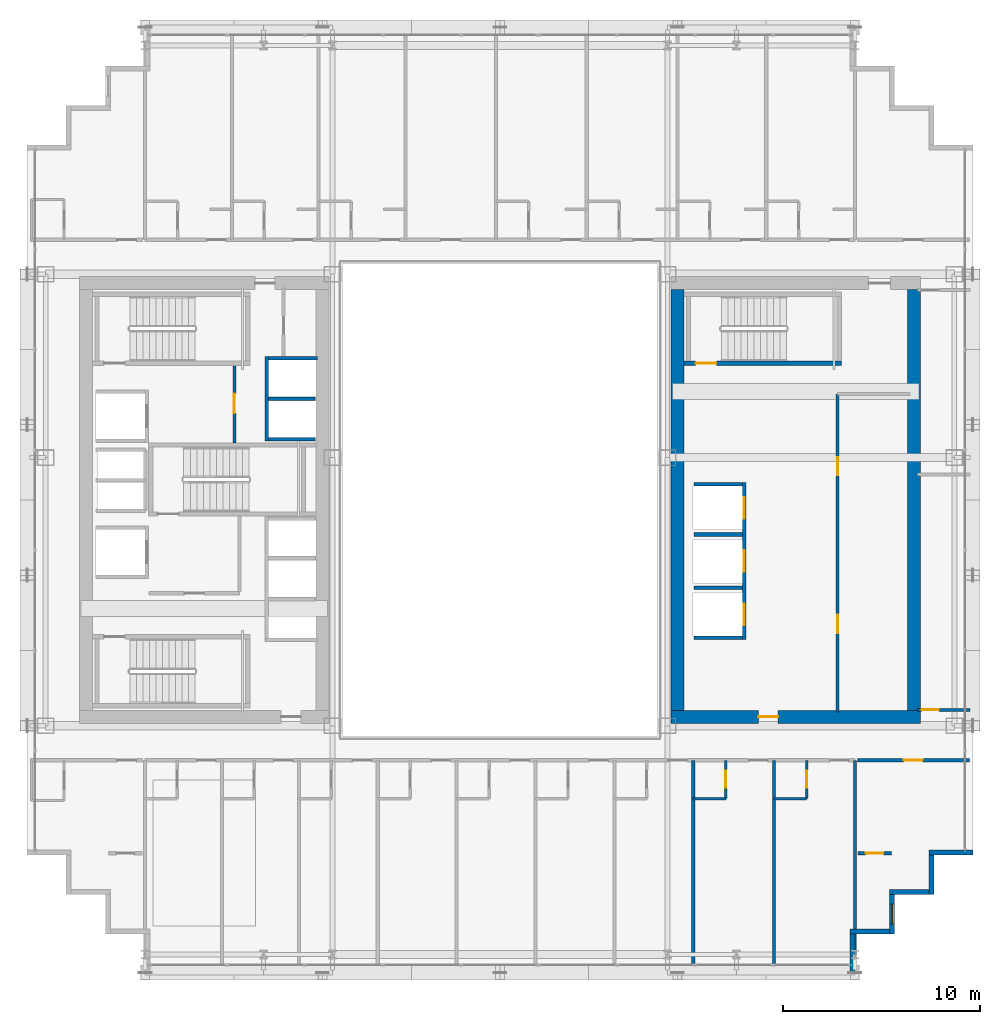
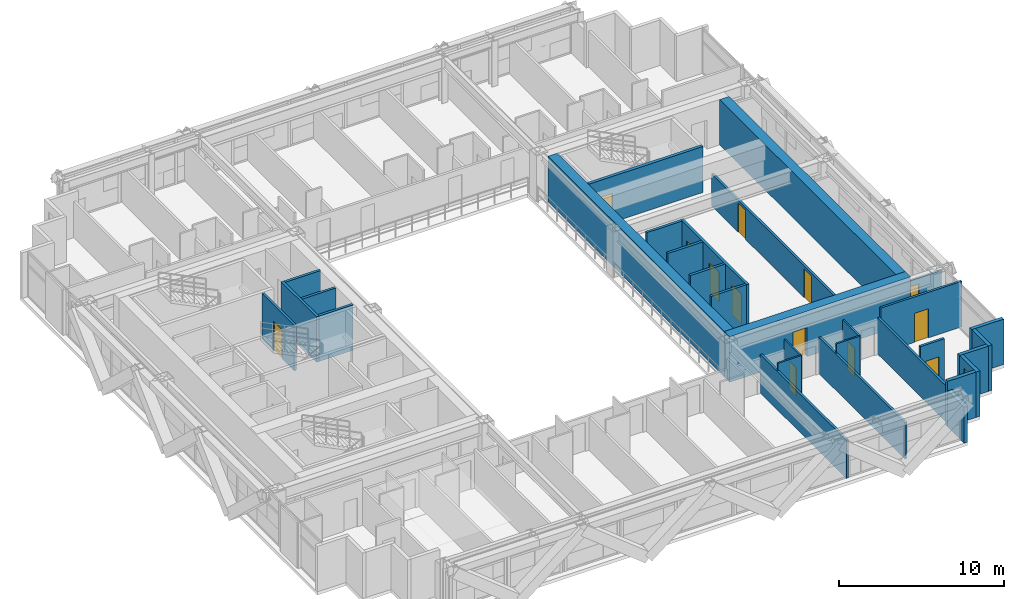
# One storey, part 29 of 36: 31 walls, 13 doors, 1 window, 14 openings.
"""IFC4 building model written with IfcOpenShell, lengths in metres."""

from ifc_helpers import new_model, si_unit, direction, frame, frame_2d, origin, place, context, subcontext, project, spatial, rectangle, extrude, source, transform, mapped, material, layer, layer_set, type_object, element, fill, save


model = new_model("IFC4")

# Units and contexts
model_context = context("Model", 3, precision=1e-05, world=origin(), true_north=direction((0.0, 1.0)))
body_context = subcontext(model_context, "Body", "Model", "MODEL_VIEW")
ifc_project = project(units=[si_unit("LENGTHUNIT", "METRE"), si_unit("AREAUNIT", "SQUARE_METRE"), si_unit("VOLUMEUNIT", "CUBIC_METRE"), si_unit("PLANEANGLEUNIT", "RADIAN"), si_unit("MASSUNIT", "GRAM", prefix="KILO")], contexts=[model_context])

# Site, building, storey
site_placement = place(None, origin())
site = spatial("IfcSite", under=ifc_project, at=site_placement, CompositionType="ELEMENT")
building_placement = place(site_placement, origin())
building = spatial("IfcBuilding", under=site, at=building_placement, Name="Ocotamira Hotel", CompositionType="ELEMENT")
storey_placement = place(building_placement, frame((0.0, 0.0, 129.60009765625)))
storey = spatial("IfcBuildingStorey", under=building, at=storey_placement, Name="L32", CompositionType="ELEMENT", Elevation=129.60009765625)

# Wall, opening, door
ifc_material_1 = material(Name="Concrete C60/75", Category="concrete")
ifc_layer_1 = layer(ifc_material_1, 0.64990234375)
ifc_layer_set_1 = layer_set([ifc_layer_1], Name="Concrete C60/75")
wall_type_1 = type_object("IfcWallType", Name="WL-CORE-650", PredefinedType="SHEAR", material=ifc_layer_set_1)
wall_1_placement = place(storey_placement, frame((40.675048828125, 15.0, 0.0), z_axis=(0.0, 0.0, 1.0), x_axis=(1.0, 0.0, 0.0)))
wall_1 = element("IfcWall", 1, at=wall_1_placement, inside=storey, type_object=wall_type_1, Name="L32 Shear Core Wall ECORE-S", PredefinedType="SHEAR", context=body_context, shape_type="SweptSolid", body=[
    extrude(rectangle(XDim=12.64990234375, YDim=0.64990234375, at=frame_2d((6.324951171875, 0.0))), origin(), (0.0, 0.0, 1.0), 3.35986328125),
])
opening_1_placement = place(wall_1_placement, frame((4.425048828125, 0.0, 0.0)))
opening_1 = element("IfcOpeningElement", 2, at=opening_1_placement, cuts=wall_1, Name="Opening D-FR2", PredefinedType="OPENING", context=body_context, shape_type="SweptSolid", body=[
    extrude(rectangle(XDim=1.0, YDim=2.14990234375, at=frame_2d((0.5, 1.074951171875))), frame((0.0, 0.3349609375, 0.0), z_axis=(0.0, -1.0, 0.0), x_axis=(1.0, 0.0, 0.0)), (0.0, 0.0, 1.0), 0.669921875),
])
ifc_material_2 = material(Name="Fire-rated acoustic timber-veneer door", Category="wood")
door_type_1 = type_object("IfcDoorType", Name="DR-FIRE-1000", OperationType="NOTDEFINED", PredefinedType="DOOR", material=ifc_material_2)
shared_shape_1 = source(origin(), body_context, "Body", "SweptSolid", [
    extrude(rectangle(XDim=1.0, YDim=2.14990234375, at=frame_2d((0.5, 1.074951171875))), frame((0.0, 0.02490234375, 0.0), z_axis=(0.0, -1.0, 0.0), x_axis=(1.0, 0.0, 0.0)), (0.0, 0.0, 1.0), 0.050048828125),
])
door_1_placement = place(opening_1_placement, origin())
door_1 = element("IfcDoor", 3, at=door_1_placement, inside=storey, type_object=door_type_1, Name="L32 Door ID-L32-ELOB-S-D [ID-L32-ELOB-S-D]", OperationType="SINGLE_SWING_RIGHT", OverallHeight=2.14990234375, OverallWidth=1.0, PredefinedType="DOOR", context=body_context, shape_type="MappedRepresentation", body=[
    mapped(shared_shape_1, transform((0.0, 0.0, 0.0), scale=1.0)),
])
fill(opening_1, door_1)

# Walls
for number, where, z_axis, x_axis, name in (
    (4, (41.0, 15.324951171875, 0.0), (0.0, 0.0, 1.0), (0.0, 1.0, 0.0), "L32 Shear Core Wall ECORE-W"),
    (5, (53.0, 15.324951171875, 0.0), (0.0, 0.0, 1.0), (0.0, 1.0, 0.0), "L32 Shear Core Wall ECORE-E"),
):
    element("IfcWall", number, at=place(storey_placement, frame(where, z_axis=z_axis, x_axis=x_axis)), inside=storey, type_object=wall_type_1, Name=name, PredefinedType="SHEAR", context=body_context, shape_type="SweptSolid", body=[
        extrude(rectangle(XDim=21.35009765625, YDim=0.64990234375, at=frame_2d((10.675048828125, 0.0))), origin(), (0.0, 0.0, 1.0), 3.35986328125),
    ])
ifc_material_3 = material(Name="Precast concrete C45/55", Category="concrete")
ifc_layer_2 = layer(ifc_material_3, 0.25)
ifc_layer_set_2 = layer_set([ifc_layer_2], Name="Precast concrete C45/55")
wall_type_2 = type_object("IfcWallType", Name="WL-EXT-SER-250", PredefinedType="SOLIDWALL", material=ifc_layer_set_2)
wall_2_placement = place(storey_placement, frame((49.875, 2.0, 0.0), z_axis=(0.0, 0.0, 1.0), x_axis=(0.0, 1.0, 0.0)))
element("IfcWall", 6, at=wall_2_placement, inside=storey, type_object=wall_type_2, Name="L32 Serrated Corner Wall 01", PredefinedType="SOLIDWALL", context=body_context, shape_type="SweptSolid", body=[
    extrude(rectangle(XDim=2.0, YDim=0.25, at=frame_2d((1.0, 0.0))), origin(), (0.0, 0.0, 1.0), 2.6669921875),
])
wall_3_placement = place(storey_placement, frame((49.75, 4.125, 0.0), z_axis=(0.0, 0.0, 1.0), x_axis=(1.0, 0.0, 0.0)))
element("IfcWall", 7, at=wall_3_placement, inside=storey, type_object=wall_type_2, Name="L32 Serrated Corner Wall 02", PredefinedType="SOLIDWALL", context=body_context, shape_type="SweptSolid", body=[
    extrude(rectangle(XDim=2.0, YDim=0.25, at=frame_2d((1.0, 0.0))), origin(), (0.0, 0.0, 1.0), 3.35986328125),
])

# Wall, opening, window
wall_4_placement = place(storey_placement, frame((51.875, 4.0, 0.0), z_axis=(0.0, 0.0, 1.0), x_axis=(0.0, 1.0, 0.0)))
wall_4 = element("IfcWall", 8, at=wall_4_placement, inside=storey, type_object=wall_type_2, Name="L32 Serrated Corner Wall 03", PredefinedType="SOLIDWALL", context=body_context, shape_type="SweptSolid", body=[
    extrude(rectangle(XDim=2.0, YDim=0.25, at=frame_2d((1.0, 0.0))), origin(), (0.0, 0.0, 1.0), 3.35986328125),
])
opening_2_placement = place(wall_4_placement, frame((0.5, 0.0, 0.85009765625)))
opening_2 = element("IfcOpeningElement", 9, at=opening_2_placement, cuts=wall_4, Name="Opening WN-2", PredefinedType="OPENING", context=body_context, shape_type="SweptSolid", body=[
    extrude(rectangle(XDim=1.0, YDim=1.89990234375, at=frame_2d((0.5, 0.949951171875))), frame((0.0, 0.135009765625, 0.0), z_axis=(0.0, -1.0, 0.0), x_axis=(1.0, 0.0, 0.0)), (0.0, 0.0, 1.0), 0.27001953125),
])
ifc_material_4 = material(Name="Double-silver low-E solar glass", Category="glass")
window_type = type_object("IfcWindowType", Name="WIN-SER-1100", PartitioningType="SINGLE_PANEL", PredefinedType="WINDOW", material=ifc_material_4)
shared_shape_2 = source(origin(), body_context, "Body", "SweptSolid", [
    extrude(rectangle(XDim=1.0, YDim=1.89990234375, at=frame_2d((0.5, 0.949951171875))), frame((0.0, 0.030029296875, 0.0), z_axis=(0.0, -1.0, 0.0), x_axis=(1.0, 0.0, 0.0)), (0.0, 0.0, 1.0), 0.06005859375),
])
window_placement = place(opening_2_placement, origin())
window = element("IfcWindow", 10, at=window_placement, inside=storey, type_object=window_type, Name="L32 Serrated Corner Window 03", OverallHeight=1.89990234375, OverallWidth=1.0, PartitioningType="SINGLE_PANEL", PredefinedType="WINDOW", context=body_context, shape_type="MappedRepresentation", body=[
    mapped(shared_shape_2, transform((0.0, 0.0, 0.0), scale=1.0)),
])
fill(opening_2, window)

# Walls
for number, where, z_axis, x_axis, name in (
    (11, (51.75, 6.125, 0.0), (0.0, 0.0, 1.0), (1.0, 0.0, 0.0), "L32 Serrated Corner Wall 04"),
    (12, (53.875, 6.0, 0.0), (0.0, 0.0, 1.0), (0.0, 1.0, 0.0), "L32 Serrated Corner Wall 05"),
):
    element("IfcWall", number, at=place(storey_placement, frame(where, z_axis=z_axis, x_axis=x_axis)), inside=storey, type_object=wall_type_2, Name=name, PredefinedType="SOLIDWALL", context=body_context, shape_type="SweptSolid", body=[
        extrude(rectangle(XDim=2.0, YDim=0.25, at=frame_2d((1.0, 0.0))), origin(), (0.0, 0.0, 1.0), 3.35986328125),
    ])
wall_5_placement = place(storey_placement, frame((53.75, 8.125, 0.0), z_axis=(0.0, 0.0, 1.0), x_axis=(1.0, 0.0, 0.0)))
element("IfcWall", 13, at=wall_5_placement, inside=storey, type_object=wall_type_2, Name="L32 Serrated Corner Wall 06", PredefinedType="SOLIDWALL", context=body_context, shape_type="SweptSolid", body=[
    extrude(rectangle(XDim=2.25, YDim=0.25, at=frame_2d((1.125, 0.0))), origin(), (0.0, 0.0, 1.0), 3.35986328125),
])

# Wall, opening, door
ifc_material_5 = material(Name="Acoustic double-layer fire gypsum board partition", Category="gypsum")
ifc_layer_3 = layer(ifc_material_5, 0.159912109375)
ifc_layer_set_3 = layer_set([ifc_layer_3], Name="Acoustic double-layer fire gypsum board partition")
wall_type_3 = type_object("IfcWallType", Name="WL-FIRE-160", PredefinedType="PARTITIONING", material=ifc_layer_set_3)
wall_6_placement = place(storey_placement, frame((18.530029296875, 28.89990234375, 0.0), z_axis=(0.0, 0.0, 1.0), x_axis=(0.0, 1.0, 0.0)))
wall_6 = element("IfcWall", 14, at=wall_6_placement, inside=storey, type_object=wall_type_3, Name="L32 Interior Wall PW-L32-FSAE2-E", PredefinedType="PARTITIONING", context=body_context, shape_type="SweptSolid", body=[
    extrude(rectangle(XDim=3.900146484375, YDim=0.159912109375, at=frame_2d((1.9501953125, 0.0))), origin(), (0.0, 0.0, 1.0), 3.35986328125),
])
opening_3_placement = place(wall_6_placement, frame((1.5, 0.0, 0.0)))
opening_3 = element("IfcOpeningElement", 15, at=opening_3_placement, cuts=wall_6, Name="Opening D-FR2", PredefinedType="OPENING", context=body_context, shape_type="SweptSolid", body=[
    extrude(rectangle(XDim=1.0, YDim=2.14990234375, at=frame_2d((0.5, 1.074951171875))), frame((0.0, 0.08984375, 0.0), z_axis=(0.0, -1.0, 0.0), x_axis=(1.0, 0.0, 0.0)), (0.0, 0.0, 1.0), 0.179931640625),
])
door_2_placement = place(opening_3_placement, origin())
door_2 = element("IfcDoor", 16, at=door_2_placement, inside=storey, type_object=door_type_1, Name="L32 Door ID-L32-FSAE2-D [ID-L32-FSAE2-D]", OperationType="SINGLE_SWING_RIGHT", OverallHeight=2.14990234375, OverallWidth=1.0, PredefinedType="DOOR", context=body_context, shape_type="MappedRepresentation", body=[
    mapped(shared_shape_1, transform((0.0, 0.0, 0.0), scale=1.0)),
])
fill(opening_3, door_2)

# Wall, openings, doors
wall_7_placement = place(storey_placement, frame((49.1201171875, 15.25, 0.0), z_axis=(0.0, 0.0, 1.0), x_axis=(0.0, 1.0, 0.0)))
wall_7 = element("IfcWall", 17, at=wall_7_placement, inside=storey, type_object=wall_type_3, Name="L32 Interior Wall PW-L32-EC-FLOW-W", PredefinedType="PARTITIONING", context=body_context, shape_type="SweptSolid", body=[
    extrude(rectangle(XDim=16.1298828125, YDim=0.159912109375, at=frame_2d((8.06494140625, 0.0))), origin(), (0.0, 0.0, 1.0), 2.35986328125),
])
opening_4_placement = place(wall_7_placement, frame((4.0, 0.0, 0.0)))
opening_4 = element("IfcOpeningElement", 18, at=opening_4_placement, cuts=wall_7, Name="Opening D-SV3", PredefinedType="OPENING", context=body_context, shape_type="SweptSolid", body=[
    extrude(rectangle(XDim=0.919921875, YDim=2.14990234375, at=frame_2d((0.4599609375, 1.074951171875))), frame((0.0, 0.08984375, 0.0), z_axis=(0.0, -1.0, 0.0), x_axis=(1.0, 0.0, 0.0)), (0.0, 0.0, 1.0), 0.179931640625),
])
opening_5_placement = place(wall_7_placement, frame((12.0, 0.0, 0.0)))
opening_5 = element("IfcOpeningElement", 19, at=opening_5_placement, cuts=wall_7, Name="Opening D-SV3", PredefinedType="OPENING", context=body_context, shape_type="SweptSolid", body=[
    extrude(rectangle(XDim=0.919921875, YDim=2.14990234375, at=frame_2d((0.4599609375, 1.074951171875))), frame((0.0, 0.08984375, 0.0), z_axis=(0.0, -1.0, 0.0), x_axis=(1.0, 0.0, 0.0)), (0.0, 0.0, 1.0), 0.179931640625),
])
ifc_material_6 = material(Name="Fire-rated walnut hospitality door", Category="wood")
door_type_2 = type_object("IfcDoorType", Name="DR-SERV-920", OperationType="NOTDEFINED", PredefinedType="DOOR", material=ifc_material_6)
shared_shape_3 = source(origin(), body_context, "Body", "SweptSolid", [
    extrude(rectangle(XDim=0.919921875, YDim=2.14990234375, at=frame_2d((0.4599609375, 1.074951171875))), frame((0.0, 0.02490234375, 0.0), z_axis=(0.0, -1.0, 0.0), x_axis=(1.0, 0.0, 0.0)), (0.0, 0.0, 1.0), 0.050048828125),
])
door_3_placement = place(opening_4_placement, origin())
door_3 = element("IfcDoor", 20, at=door_3_placement, inside=storey, type_object=door_type_2, Name="L32 Door ID-L32-EC-FLOW-D1 [ID-L32-EC-FLOW-D1]", OperationType="SINGLE_SWING_LEFT", OverallHeight=2.14990234375, OverallWidth=0.919921875, PredefinedType="DOOR", context=body_context, shape_type="MappedRepresentation", body=[
    mapped(shared_shape_3, transform((0.0, 0.0, 0.0), scale=1.0)),
])
fill(opening_4, door_3)
door_4_placement = place(opening_5_placement, origin())
door_4 = element("IfcDoor", 21, at=door_4_placement, inside=storey, type_object=door_type_2, Name="L32 Door ID-L32-EC-FLOW-D2 [ID-L32-EC-FLOW-D2]", OperationType="SINGLE_SWING_RIGHT", OverallHeight=2.14990234375, OverallWidth=0.919921875, PredefinedType="DOOR", context=body_context, shape_type="MappedRepresentation", body=[
    mapped(shared_shape_3, transform((0.0, 0.0, 0.0), scale=1.0)),
])
fill(opening_5, door_4)

# Wall, opening, door
wall_8_placement = place(storey_placement, frame((50.1201171875, 12.800048828125, 0.0), z_axis=(0.0, 0.0, 1.0), x_axis=(1.0, 0.0, 0.0)))
wall_8 = element("IfcWall", 22, at=wall_8_placement, inside=storey, type_object=wall_type_3, Name="L32 Interior Wall PW-L32-Z2D-CSE-CW", PredefinedType="PARTITIONING", context=body_context, shape_type="SweptSolid", body=[
    extrude(rectangle(XDim=5.679931640625, YDim=0.159912109375, at=frame_2d((2.83984375, 0.0))), origin(), (0.0, 0.0, 1.0), 3.35986328125),
])
opening_6_placement = place(wall_8_placement, frame((2.360107421875, 0.0, 0.0)))
opening_6 = element("IfcOpeningElement", 23, at=opening_6_placement, cuts=wall_8, Name="Opening D-SV4", PredefinedType="OPENING", context=body_context, shape_type="SweptSolid", body=[
    extrude(rectangle(XDim=0.9599609375, YDim=2.14990234375, at=frame_2d((0.47998046875, 1.074951171875))), frame((0.0, 0.08984375, 0.0), z_axis=(0.0, -1.0, 0.0), x_axis=(1.0, 0.0, 0.0)), (0.0, 0.0, 1.0), 0.179931640625),
])
ifc_material_7 = material(Name="Fire-rated accessible walnut salon door", Category="wood")
door_type_3 = type_object("IfcDoorType", Name="DR-SERV-960", OperationType="NOTDEFINED", PredefinedType="DOOR", material=ifc_material_7)
shared_shape_4 = source(origin(), body_context, "Body", "SweptSolid", [
    extrude(rectangle(XDim=0.9599609375, YDim=2.14990234375, at=frame_2d((0.47998046875, 1.074951171875))), frame((0.0, 0.02490234375, 0.0), z_axis=(0.0, -1.0, 0.0), x_axis=(1.0, 0.0, 0.0)), (0.0, 0.0, 1.0), 0.050048828125),
])
door_5_placement = place(opening_6_placement, origin())
door_5 = element("IfcDoor", 24, at=door_5_placement, inside=storey, type_object=door_type_3, Name="L32 Door ID-L32-Z2D-CSE-CD [ID-L32-Z2D-CSE-CD]", OperationType="SINGLE_SWING_LEFT", OverallHeight=2.14990234375, OverallWidth=0.9599609375, PredefinedType="DOOR", context=body_context, shape_type="MappedRepresentation", body=[
    mapped(shared_shape_4, transform((0.0, 0.0, 0.0), scale=1.0)),
])
fill(opening_6, door_5)

wall_9_placement = place(storey_placement, frame((50.14990234375, 8.080078125, 0.0), z_axis=(0.0, 0.0, 1.0), x_axis=(1.0, 0.0, 0.0)))
wall_9 = element("IfcWall", 25, at=wall_9_placement, inside=storey, type_object=wall_type_3, Name="L32 Interior Wall PW-L32-Z2D-CSE2-CW", PredefinedType="PARTITIONING", context=body_context, shape_type="SweptSolid", body=[
    extrude(rectangle(XDim=1.7001953125, YDim=0.159912109375, at=frame_2d((0.85009765625, 0.0))), origin(), (0.0, 0.0, 1.0), 3.35986328125),
])
opening_7_placement = place(wall_9_placement, frame((0.409912109375, 0.0, 0.0)))
opening_7 = element("IfcOpeningElement", 26, at=opening_7_placement, cuts=wall_9, Name="Opening D-SV2", PredefinedType="OPENING", context=body_context, shape_type="SweptSolid", body=[
    extrude(rectangle(XDim=0.8798828125, YDim=2.14990234375, at=frame_2d((0.43994140625, 1.074951171875))), frame((0.0, 0.08984375, 0.0), z_axis=(0.0, -1.0, 0.0), x_axis=(1.0, 0.0, 0.0)), (0.0, 0.0, 1.0), 0.179931640625),
])
ifc_material_8 = material(Name="Fire-rated painted steel service door", Category="steel")
door_type_4 = type_object("IfcDoorType", Name="DR-SERV-880", OperationType="NOTDEFINED", PredefinedType="DOOR", material=ifc_material_8)
shared_shape_5 = source(origin(), body_context, "Body", "SweptSolid", [
    extrude(rectangle(XDim=0.8798828125, YDim=2.14990234375, at=frame_2d((0.43994140625, 1.074951171875))), frame((0.0, 0.02490234375, 0.0), z_axis=(0.0, -1.0, 0.0), x_axis=(1.0, 0.0, 0.0)), (0.0, 0.0, 1.0), 0.050048828125),
])
door_6_placement = place(opening_7_placement, origin())
door_6 = element("IfcDoor", 27, at=door_6_placement, inside=storey, type_object=door_type_4, Name="L32 Door ID-L32-Z2D-CSE2-CD [ID-L32-Z2D-CSE2-CD]", OperationType="SINGLE_SWING_LEFT", OverallHeight=2.14990234375, OverallWidth=0.8798828125, PredefinedType="DOOR", context=body_context, shape_type="MappedRepresentation", body=[
    mapped(shared_shape_5, transform((0.0, 0.0, 0.0), scale=1.0)),
])
fill(opening_7, door_6)

ifc_material_9 = material(Name="Moisture-resistant en-suite tile and gypsum partition", Category="gypsum")
ifc_layer_4 = layer(ifc_material_9, 0.1201171875)
ifc_layer_set_4 = layer_set([ifc_layer_4], Name="Moisture-resistant en-suite tile and gypsum partition")
wall_type_4 = type_object("IfcWallType", Name="WL-PART-120", PredefinedType="PARTITIONING", material=ifc_layer_set_4)
wall_10_placement = place(storey_placement, frame((43.449951171875, 10.85009765625, 0.0), z_axis=(0.0, 0.0, 1.0), x_axis=(0.0, 1.0, 0.0)))
wall_10 = element("IfcWall", 28, at=wall_10_placement, inside=storey, type_object=wall_type_4, Name="L32 Interior Wall PW-L32-Z2DS-BAE8", PredefinedType="PARTITIONING", context=body_context, shape_type="SweptSolid", body=[
    extrude(rectangle(XDim=1.949951171875, YDim=0.1201171875, at=frame_2d((0.97509765625, 0.0))), origin(), (0.0, 0.0, 1.0), 3.35986328125),
])
opening_8_placement = place(wall_10_placement, frame((0.544921875, 0.0, 0.0)))
opening_8 = element("IfcOpeningElement", 29, at=opening_8_placement, cuts=wall_10, Name="Opening D-BA1", PredefinedType="OPENING", context=body_context, shape_type="SweptSolid", body=[
    extrude(rectangle(XDim=0.860107421875, YDim=2.10009765625, at=frame_2d((0.43017578125, 1.050048828125))), frame((0.0, 0.070068359375, 0.0), z_axis=(0.0, -1.0, 0.0), x_axis=(1.0, 0.0, 0.0)), (0.0, 0.0, 1.0), 0.14013671875),
])
ifc_material_10 = material(Name="Moisture-sealed en-suite timber door", Category="wood")
door_type_5 = type_object("IfcDoorType", Name="DR-BATH-860", OperationType="NOTDEFINED", PredefinedType="DOOR", material=ifc_material_10)
shared_shape_6 = source(origin(), body_context, "Body", "SweptSolid", [
    extrude(rectangle(XDim=0.860107421875, YDim=2.10009765625, at=frame_2d((0.43017578125, 1.050048828125))), frame((0.0, 0.02490234375, 0.0), z_axis=(0.0, -1.0, 0.0), x_axis=(1.0, 0.0, 0.0)), (0.0, 0.0, 1.0), 0.050048828125),
])
door_7_placement = place(opening_8_placement, origin())
door_7 = element("IfcDoor", 30, at=door_7_placement, inside=storey, type_object=door_type_5, Name="L32 Door ID-L32-Z2DS-BAD8 [ID-L32-Z2DS-BAD8]", OperationType="SINGLE_SWING_LEFT", OverallHeight=2.10009765625, OverallWidth=0.860107421875, PredefinedType="DOOR", context=body_context, shape_type="MappedRepresentation", body=[
    mapped(shared_shape_6, transform((0.0, 0.0, 0.0), scale=1.0)),
])
fill(opening_8, door_7)

# Wall
wall_11_placement = place(storey_placement, frame((41.800048828125, 10.85009765625, 0.0), z_axis=(0.0, 0.0, 1.0), x_axis=(1.0, 0.0, 0.0)))
element("IfcWall", 31, at=wall_11_placement, inside=storey, type_object=wall_type_4, Name="L32 Interior Wall PW-L32-Z2DS-BAS8", PredefinedType="PARTITIONING", context=body_context, shape_type="SweptSolid", body=[
    extrude(rectangle(XDim=1.64990234375, YDim=0.1201171875, at=frame_2d((0.824951171875, 0.0))), origin(), (0.0, 0.0, 1.0), 3.35986328125),
])

# Wall, opening, door
wall_12_placement = place(storey_placement, frame((47.550048828125, 10.85009765625, 0.0), z_axis=(0.0, 0.0, 1.0), x_axis=(0.0, 1.0, 0.0)))
wall_12 = element("IfcWall", 32, at=wall_12_placement, inside=storey, type_object=wall_type_4, Name="L32 Interior Wall PW-L32-Z2DS-BAE9", PredefinedType="PARTITIONING", context=body_context, shape_type="SweptSolid", body=[
    extrude(rectangle(XDim=1.949951171875, YDim=0.1201171875, at=frame_2d((0.97509765625, 0.0))), origin(), (0.0, 0.0, 1.0), 3.35986328125),
])
opening_9_placement = place(wall_12_placement, frame((0.544921875, 0.0, 0.0)))
opening_9 = element("IfcOpeningElement", 33, at=opening_9_placement, cuts=wall_12, Name="Opening D-BA1", PredefinedType="OPENING", context=body_context, shape_type="SweptSolid", body=[
    extrude(rectangle(XDim=0.860107421875, YDim=2.10009765625, at=frame_2d((0.43017578125, 1.050048828125))), frame((0.0, 0.070068359375, 0.0), z_axis=(0.0, -1.0, 0.0), x_axis=(1.0, 0.0, 0.0)), (0.0, 0.0, 1.0), 0.14013671875),
])
door_8_placement = place(opening_9_placement, origin())
door_8 = element("IfcDoor", 34, at=door_8_placement, inside=storey, type_object=door_type_5, Name="L32 Door ID-L32-Z2DS-BAD9 [ID-L32-Z2DS-BAD9]", OperationType="SINGLE_SWING_RIGHT", OverallHeight=2.10009765625, OverallWidth=0.860107421875, PredefinedType="DOOR", context=body_context, shape_type="MappedRepresentation", body=[
    mapped(shared_shape_6, transform((0.0, 0.0, 0.0), scale=1.0)),
])
fill(opening_9, door_8)

# Wall
wall_13_placement = place(storey_placement, frame((45.89990234375, 10.85009765625, 0.0), z_axis=(0.0, 0.0, 1.0), x_axis=(1.0, 0.0, 0.0)))
element("IfcWall", 35, at=wall_13_placement, inside=storey, type_object=wall_type_4, Name="L32 Interior Wall PW-L32-Z2DS-BAS9", PredefinedType="PARTITIONING", context=body_context, shape_type="SweptSolid", body=[
    extrude(rectangle(XDim=1.650146484375, YDim=0.1201171875, at=frame_2d((0.8251953125, 0.0))), origin(), (0.0, 0.0, 1.0), 3.35986328125),
])

# Wall, opening, door
ifc_material_11 = material(Name="Acoustic hospitality gypsum board partition", Category="gypsum")
ifc_layer_5 = layer(ifc_material_11, 0.14990234375)
ifc_layer_set_5 = layer_set([ifc_layer_5], Name="Acoustic hospitality gypsum board partition")
wall_type_5 = type_object("IfcWallType", Name="WL-PART-150", PredefinedType="PARTITIONING", material=ifc_layer_set_5)
wall_14_placement = place(storey_placement, frame((53.179931640625, 15.360107421875, 0.0), z_axis=(0.0, 0.0, 1.0), x_axis=(1.0, 0.0, 0.0)))
wall_14 = element("IfcWall", 36, at=wall_14_placement, inside=storey, type_object=wall_type_5, Name="L32 Interior Wall PW-L32-Z2D-EF-WS", PredefinedType="PARTITIONING", context=body_context, shape_type="SweptSolid", body=[
    extrude(rectangle(XDim=2.66015625, YDim=0.14990234375, at=frame_2d((1.330078125, 0.0))), origin(), (0.0, 0.0, 1.0), 2.580810546875),
])
opening_10_placement = place(wall_14_placement, frame((0.199951171875, 0.0, 0.0)))
opening_10 = element("IfcOpeningElement", 37, at=opening_10_placement, cuts=wall_14, Name="Opening D-SV2", PredefinedType="OPENING", context=body_context, shape_type="SweptSolid", body=[
    extrude(rectangle(XDim=0.8798828125, YDim=2.14990234375, at=frame_2d((0.43994140625, 1.074951171875))), frame((0.0, 0.0849609375, 0.0), z_axis=(0.0, -1.0, 0.0), x_axis=(1.0, 0.0, 0.0)), (0.0, 0.0, 1.0), 0.169921875),
])
door_9_placement = place(opening_10_placement, origin())
door_9 = element("IfcDoor", 38, at=door_9_placement, inside=storey, type_object=door_type_4, Name="L32 Door ID-L32-Z2D-EF-DS [ID-L32-Z2D-EF-DS]", OperationType="SINGLE_SWING_RIGHT", OverallHeight=2.14990234375, OverallWidth=0.8798828125, PredefinedType="DOOR", context=body_context, shape_type="MappedRepresentation", body=[
    mapped(shared_shape_5, transform((0.0, 0.0, 0.0), scale=1.0)),
])
fill(opening_10, door_9)

# Walls
ifc_material_12 = material(Name="Acoustic double-stud hospitality gypsum partition", Category="gypsum")
ifc_layer_6 = layer(ifc_material_12, 0.159912109375)
ifc_layer_set_6 = layer_set([ifc_layer_6], Name="Acoustic double-stud hospitality gypsum partition")
wall_type_6 = type_object("IfcWallType", Name="WL-PART-160", PredefinedType="PARTITIONING", material=ifc_layer_set_6)
wall_15_placement = place(storey_placement, frame((50.0, 2.360107421875, 0.0), z_axis=(0.0, 0.0, 1.0), x_axis=(0.0, 1.0, 0.0)))
element("IfcWall", 39, at=wall_15_placement, inside=storey, type_object=wall_type_6, Name="L32 Interior Wall PW-L32-Z2DS-PWEND", PredefinedType="PARTITIONING", context=body_context, shape_type="SweptSolid", body=[
    extrude(rectangle(XDim=10.43994140625, YDim=0.159912109375, at=frame_2d((5.219970703125, 0.0))), origin(), (0.0, 0.0, 1.0), 2.6669921875),
])
wall_16_placement = place(storey_placement, frame((41.800048828125, 2.360107421875, 0.0), z_axis=(0.0, 0.0, 1.0), x_axis=(0.0, 1.0, 0.0)))
element("IfcWall", 40, at=wall_16_placement, inside=storey, type_object=wall_type_6, Name="L32 Interior Wall PW-L32-Z2DS-PW7", PredefinedType="PARTITIONING", context=body_context, shape_type="SweptSolid", body=[
    extrude(rectangle(XDim=10.43994140625, YDim=0.159912109375, at=frame_2d((5.219970703125, 0.0))), origin(), (0.0, 0.0, 1.0), 2.822998046875),
])
wall_17_placement = place(storey_placement, frame((45.89990234375, 2.360107421875, 0.0), z_axis=(0.0, 0.0, 1.0), x_axis=(0.0, 1.0, 0.0)))
element("IfcWall", 41, at=wall_17_placement, inside=storey, type_object=wall_type_6, Name="L32 Interior Wall PW-L32-Z2DS-PW8", PredefinedType="PARTITIONING", context=body_context, shape_type="SweptSolid", body=[
    extrude(rectangle(XDim=10.43994140625, YDim=0.159912109375, at=frame_2d((5.219970703125, 0.0))), origin(), (0.0, 0.0, 1.0), 2.6669921875),
])

# Wall, openings, doors
ifc_material_13 = material(Name="Fire-rated gypsum shaftliner board assembly", Category="gypsum")
ifc_layer_7 = layer(ifc_material_13, 0.179931640625)
ifc_layer_set_7 = layer_set([ifc_layer_7], Name="Fire-rated gypsum shaftliner board assembly")
wall_type_7 = type_object("IfcWallType", Name="WL-SHAFT-180", PredefinedType="SOLIDWALL", material=ifc_layer_set_7)
wall_18_placement = place(storey_placement, frame((44.389892578125, 18.919921875, 0.0), z_axis=(0.0, 0.0, 1.0), x_axis=(0.0, 1.0, 0.0)))
wall_18 = element("IfcWall", 42, at=wall_18_placement, inside=storey, type_object=wall_type_7, Name="L32 Interior Wall PW-L32-LFW-BANK-mid-F", PredefinedType="SOLIDWALL", context=body_context, shape_type="SweptSolid", body=[
    extrude(rectangle(XDim=7.9599609375, YDim=0.179931640625, at=frame_2d((3.97998046875, 0.0))), origin(), (0.0, 0.0, 1.0), 3.35986328125),
])
opening_11_placement = place(wall_18_placement, frame((0.72998046875, 0.0, 0.0)))
opening_11 = element("IfcOpeningElement", 43, at=opening_11_placement, cuts=wall_18, Name="Opening LD-LF-P4", PredefinedType="OPENING", context=body_context, shape_type="SweptSolid", body=[
    extrude(rectangle(XDim=1.10009765625, YDim=2.199951171875, at=frame_2d((0.550048828125, 1.10009765625))), frame((0.0, 0.10009765625, 0.0), z_axis=(0.0, -1.0, 0.0), x_axis=(1.0, 0.0, 0.0)), (0.0, 0.0, 1.0), 0.199951171875),
])
opening_12_placement = place(wall_18_placement, frame((3.429931640625, 0.0, 0.0)))
opening_12 = element("IfcOpeningElement", 44, at=opening_12_placement, cuts=wall_18, Name="Opening LD-LF-P5", PredefinedType="OPENING", context=body_context, shape_type="SweptSolid", body=[
    extrude(rectangle(XDim=1.10009765625, YDim=2.199951171875, at=frame_2d((0.550048828125, 1.10009765625))), frame((0.0, 0.10009765625, 0.0), z_axis=(0.0, -1.0, 0.0), x_axis=(1.0, 0.0, 0.0)), (0.0, 0.0, 1.0), 0.199951171875),
])
opening_13_placement = place(wall_18_placement, frame((6.1298828125, 0.0, 0.0)))
opening_13 = element("IfcOpeningElement", 45, at=opening_13_placement, cuts=wall_18, Name="Opening LD-LF-P6", PredefinedType="OPENING", context=body_context, shape_type="SweptSolid", body=[
    extrude(rectangle(XDim=1.10009765625, YDim=2.199951171875, at=frame_2d((0.550048828125, 1.10009765625))), frame((0.0, 0.10009765625, 0.0), z_axis=(0.0, -1.0, 0.0), x_axis=(1.0, 0.0, 0.0)), (0.0, 0.0, 1.0), 0.199951171875),
])
ifc_material_14 = material(Name="Brushed pale-metal stainless elevator landing door", Category="steel")
door_type_6 = type_object("IfcDoorType", Name="DR-LIFT-1100", OperationType="NOTDEFINED", PredefinedType="DOOR", material=ifc_material_14)
shared_shape_7 = source(origin(), body_context, "Body", "SweptSolid", [
    extrude(rectangle(XDim=1.10009765625, YDim=2.199951171875, at=frame_2d((0.550048828125, 1.10009765625))), frame((0.0, 0.02490234375, 0.0), z_axis=(0.0, -1.0, 0.0), x_axis=(1.0, 0.0, 0.0)), (0.0, 0.0, 1.0), 0.050048828125),
])
door_10_placement = place(opening_11_placement, origin())
door_10 = element("IfcDoor", 46, at=door_10_placement, inside=storey, type_object=door_type_6, Name="L32 Landing Door LD-LF-P4 [ID-L32-LD-LF-P4]", OperationType="DOUBLE_DOOR_SLIDING", OverallHeight=2.199951171875, OverallWidth=1.10009765625, PredefinedType="DOOR", context=body_context, shape_type="MappedRepresentation", body=[
    mapped(shared_shape_7, transform((0.0, 0.0, 0.0), scale=1.0)),
])
fill(opening_11, door_10)
door_11_placement = place(opening_12_placement, origin())
door_11 = element("IfcDoor", 47, at=door_11_placement, inside=storey, type_object=door_type_6, Name="L32 Landing Door LD-LF-P5 [ID-L32-LD-LF-P5]", OperationType="DOUBLE_DOOR_SLIDING", OverallHeight=2.199951171875, OverallWidth=1.10009765625, PredefinedType="DOOR", context=body_context, shape_type="MappedRepresentation", body=[
    mapped(shared_shape_7, transform((0.0, 0.0, 0.0), scale=1.0)),
])
fill(opening_12, door_11)
door_12_placement = place(opening_13_placement, origin())
door_12 = element("IfcDoor", 48, at=door_12_placement, inside=storey, type_object=door_type_6, Name="L32 Landing Door LD-LF-P6 [ID-L32-LD-LF-P6]", OperationType="DOUBLE_DOOR_SLIDING", OverallHeight=2.199951171875, OverallWidth=1.10009765625, PredefinedType="DOOR", context=body_context, shape_type="MappedRepresentation", body=[
    mapped(shared_shape_7, transform((0.0, 0.0, 0.0), scale=1.0)),
])
fill(opening_13, door_12)

# Walls
for number, where, z_axis, x_axis, name in (
    (49, (41.85009765625, 19.010009765625, 0.0), (0.0, 0.0, 1.0), (1.0, 0.0, 0.0), "L32 Interior Wall PW-L32-LFW-BANK-mid-S"),
    (50, (41.85009765625, 26.7900390625, 0.0), (0.0, 0.0, 1.0), (1.0, 0.0, 0.0), "L32 Interior Wall PW-L32-LFW-BANK-mid-N"),
    (51, (41.85009765625, 21.550048828125, 0.0), (0.0, 0.0, 1.0), (1.0, 0.0, 0.0), "L32 Interior Wall PW-L32-LFW-DIV-LF-P4"),
    (52, (41.85009765625, 24.25, 0.0), (0.0, 0.0, 1.0), (1.0, 0.0, 0.0), "L32 Interior Wall PW-L32-LFW-DIV-LF-P5"),
):
    element("IfcWall", number, at=place(storey_placement, frame(where, z_axis=z_axis, x_axis=x_axis)), inside=storey, type_object=wall_type_7, Name=name, PredefinedType="SOLIDWALL", context=body_context, shape_type="SweptSolid", body=[
        extrude(rectangle(XDim=2.449951171875, YDim=0.179931640625, at=frame_2d((1.22509765625, 0.0))), origin(), (0.0, 0.0, 1.0), 3.35986328125),
    ])
wall_19_placement = place(storey_placement, frame((20.159912109375, 29.0, 0.0), z_axis=(0.0, 0.0, 1.0), x_axis=(0.0, 1.0, 0.0)))
element("IfcWall", 53, at=wall_19_placement, inside=storey, type_object=wall_type_7, Name="L32 Interior Wall PW-L32-LFW-BANK-obs-F", PredefinedType="SOLIDWALL", context=body_context, shape_type="SweptSolid", body=[
    extrude(rectangle(XDim=4.2900390625, YDim=0.179931640625, at=frame_2d((2.14501953125, 0.0))), origin(), (0.0, 0.0, 1.0), 3.35986328125),
])
wall_20_placement = place(storey_placement, frame((20.25, 29.090087890625, 0.0), z_axis=(0.0, 0.0, 1.0), x_axis=(1.0, 0.0, 0.0)))
element("IfcWall", 54, at=wall_20_placement, inside=storey, type_object=wall_type_7, Name="L32 Interior Wall PW-L32-LFW-BANK-obs-S", PredefinedType="SOLIDWALL", context=body_context, shape_type="SweptSolid", body=[
    extrude(rectangle(XDim=2.360107421875, YDim=0.179931640625, at=frame_2d((1.18017578125, 0.0))), origin(), (0.0, 0.0, 1.0), 3.35986328125),
])
wall_21_placement = place(storey_placement, frame((20.25, 33.199951171875, 0.0), z_axis=(0.0, 0.0, 1.0), x_axis=(1.0, 0.0, 0.0)))
element("IfcWall", 55, at=wall_21_placement, inside=storey, type_object=wall_type_7, Name="L32 Interior Wall PW-L32-LFW-BANK-obs-N", PredefinedType="SOLIDWALL", context=body_context, shape_type="SweptSolid", body=[
    extrude(rectangle(XDim=2.5, YDim=0.179931640625, at=frame_2d((1.25, 0.0))), origin(), (0.0, 0.0, 1.0), 3.35986328125),
])
wall_22_placement = place(storey_placement, frame((20.25, 31.14501953125, 0.0), z_axis=(0.0, 0.0, 1.0), x_axis=(1.0, 0.0, 0.0)))
element("IfcWall", 56, at=wall_22_placement, inside=storey, type_object=wall_type_7, Name="L32 Interior Wall PW-L32-LFW-DIV-LF-OBS1", PredefinedType="SOLIDWALL", context=body_context, shape_type="SweptSolid", body=[
    extrude(rectangle(XDim=2.360107421875, YDim=0.179931640625, at=frame_2d((1.18017578125, 0.0))), origin(), (0.0, 0.0, 1.0), 3.35986328125),
])

# Wall, opening, door
ifc_material_15 = material(Name="Concrete C50/60", Category="concrete")
ifc_layer_8 = layer(ifc_material_15, 0.219970703125)
ifc_layer_set_8 = layer_set([ifc_layer_8], Name="Concrete C50/60")
wall_type_8 = type_object("IfcWallType", Name="WL-STAIR-220", PredefinedType="SHEAR", material=ifc_layer_set_8)
wall_23_placement = place(storey_placement, frame((41.324951171875, 32.93994140625, 0.0), z_axis=(0.0, 0.0, 1.0), x_axis=(1.0, 0.0, 0.0)))
wall_23 = element("IfcWall", 57, at=wall_23_placement, inside=storey, type_object=wall_type_8, Name="L32 Stair Shaft Structural Wall ST-4-S", PredefinedType="SHEAR", context=body_context, shape_type="SweptSolid", body=[
    extrude(rectangle(XDim=7.985107421875, YDim=0.219970703125, at=frame_2d((3.99267578125, 0.0))), origin(), (0.0, 0.0, 1.0), 3.39990234375),
])
opening_14_placement = place(wall_23_placement, frame((0.594970703125, 0.0, 0.0)))
opening_14 = element("IfcOpeningElement", 58, at=opening_14_placement, cuts=wall_23, Name="Opening D-ST2", PredefinedType="OPENING", context=body_context, shape_type="SweptSolid", body=[
    extrude(rectangle(XDim=1.050048828125, YDim=2.14990234375, at=frame_2d((0.52490234375, 1.074951171875))), frame((0.0, 0.1201171875, 0.0), z_axis=(0.0, -1.0, 0.0), x_axis=(1.0, 0.0, 0.0)), (0.0, 0.0, 1.0), 0.239990234375),
])
ifc_material_16 = material(Name="Insulated painted hollow-metal fire exit door", Category="steel")
door_type_7 = type_object("IfcDoorType", Name="DR-STAIR-1050", OperationType="NOTDEFINED", PredefinedType="DOOR", material=ifc_material_16)
shared_shape_8 = source(origin(), body_context, "Body", "SweptSolid", [
    extrude(rectangle(XDim=1.050048828125, YDim=2.14990234375, at=frame_2d((0.52490234375, 1.074951171875))), frame((0.0, 0.02490234375, 0.0), z_axis=(0.0, -1.0, 0.0), x_axis=(1.0, 0.0, 0.0)), (0.0, 0.0, 1.0), 0.050048828125),
])
door_13_placement = place(opening_14_placement, origin())
door_13 = element("IfcDoor", 59, at=door_13_placement, inside=storey, type_object=door_type_7, Name="L32 Door ID-L32-STD-ST-4 [ID-L32-STD-ST-4]", OperationType="SINGLE_SWING_RIGHT", OverallHeight=2.14990234375, OverallWidth=1.050048828125, PredefinedType="DOOR", context=body_context, shape_type="MappedRepresentation", body=[
    mapped(shared_shape_8, transform((0.0, 0.0, 0.0), scale=1.0)),
])
fill(opening_14, door_13)

save(model, "model.ifc")
